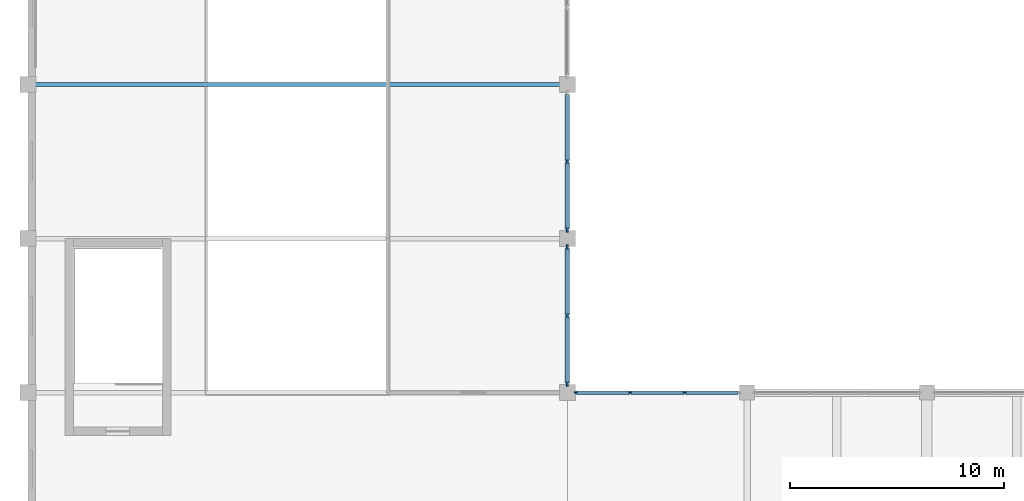
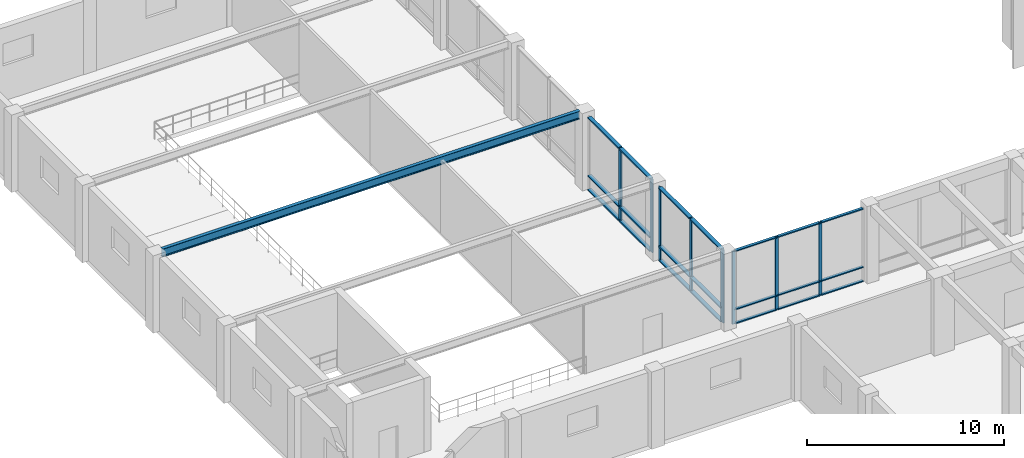
# One storey, part 7 of 51: 29 members, 1 beam, 3 elements without a shape of their own.
"""IFC4 building model written with IfcOpenShell, lengths in metres."""

from ifc_helpers import new_model, si_unit, direction, frame, origin, origin_2d, place, context, subcontext, project, spatial, rectangle, i_section, extrude, material, material_profile, profile_set, type_object, element, aggregate, save


model = new_model("IFC4")

# Units and contexts
model_context = context("Model", 3, precision=1e-05, world=origin(), true_north=direction((0.0, 1.0)))
body_context = subcontext(model_context, "Body", "Model", "MODEL_VIEW")
ifc_project = project(units=[si_unit("LENGTHUNIT", "METRE"), si_unit("AREAUNIT", "SQUARE_METRE"), si_unit("VOLUMEUNIT", "CUBIC_METRE"), si_unit("PLANEANGLEUNIT", "RADIAN"), si_unit("MASSUNIT", "GRAM", prefix="KILO")], contexts=[model_context])

# Site, building, storey
site_placement = place(None, origin())
site = spatial("IfcSite", under=ifc_project, at=site_placement, CompositionType="ELEMENT")
building_placement = place(site_placement, origin())
building = spatial("IfcBuilding", under=site, at=building_placement, Name="Kenerak Square Central Library", CompositionType="ELEMENT")
storey_placement = place(building_placement, frame((0.0, 0.0, 9.60009765625)))
storey = spatial("IfcBuildingStorey", under=building, at=storey_placement, Name="L02", CompositionType="ELEMENT", Elevation=9.60009765625)

# Beam
ifc_material_1 = material(Name="Steel S355", Category="steel")
ifc_material_profile_1 = material_profile(ifc_material_1, i_section(OverallWidth=0.199951171875, OverallDepth=0.5, WebThickness=0.01025390625, FlangeThickness=0.01611328125, FilletRadius=0.02099609375, at=origin_2d()), Name="IPE 500")
ifc_profile_set_1 = profile_set([ifc_material_profile_1], Name="Steel S355")
beam_type = type_object("IfcBeamType", Name="Auditorium Fold Beam SB-07 IPE 500 S355", PredefinedType="BEAM", material=ifc_profile_set_1)
beam_placement = place(storey_placement, frame((8.340087890625, 52.800048828125, 4.5498046875), z_axis=(1.0, 0.0, 0.0), x_axis=(0.0, 1.0, 0.0)))
element("IfcBeam", 1, at=beam_placement, inside=storey, type_object=beam_type, Name="Auditorium Valley Fold Beam SB-07 03", PredefinedType="BEAM", context=body_context, shape_type="SweptSolid", body=[
    extrude(i_section(OverallWidth=0.199951171875, OverallDepth=0.5, WebThickness=0.01025390625, FlangeThickness=0.01611328125, FilletRadius=0.02099609375, at=origin_2d()), origin(), (0.0, 0.0, 1.0), 24.52001953125),
])

# Curtain wall, members
ifc_material_2 = material(Name="Anodised aluminium and solar-control low-E glazing", Category="aluminium")
curtain_wall_type_1 = type_object("IfcCurtainWallType", Name="Curtain Wall CW-V6-76x45 7675x4550", PredefinedType="USERDEFINED", material=ifc_material_2)
curtain_wall_1_placement = place(storey_placement, origin())
curtain_wall_1 = element("IfcCurtainWall", 2, at=curtain_wall_1_placement, inside=storey, type_object=curtain_wall_type_1, Name="Curtain Wall CW-V6-76x45 L02 0072", ObjectType="CURTAIN WALL", PredefinedType="USERDEFINED")
ifc_material_3 = material(Name="Anodised aluminium 6063-T6", Category="aluminium")
ifc_material_profile_2 = material_profile(ifc_material_3, rectangle(XDim=0.06494140625, YDim=0.179931640625, at=origin_2d()), Name="AL MULLION 65x180")
ifc_profile_set_2 = profile_set([ifc_material_profile_2], Name="Anodised aluminium 6063-T6")
member_type_1 = type_object("IfcMemberType", Name="Curtain Mullion CM-01 65x180", PredefinedType="MULLION", material=ifc_profile_set_2)
member_1_placement = place(storey_placement, frame((33.607421875, 38.39990234375, 0.0), z_axis=(0.0, 0.0, 1.0), x_axis=(0.0, 1.0, 0.0)))
member_1 = element("IfcMember", 3, at=member_1_placement, type_object=member_type_1, Name="CW-V6-76x45 Mullion 1", PredefinedType="MULLION", context=body_context, shape_type="SweptSolid", body=[
    extrude(rectangle(XDim=0.06494140625, YDim=0.179931640625, at=origin_2d()), origin(), (0.0, 0.0, 1.0), 4.5498046875),
])
member_2_placement = place(storey_placement, frame((36.13330078125, 38.39990234375, 0.0), z_axis=(0.0, 0.0, 1.0), x_axis=(0.0, 1.0, 0.0)))
member_2 = element("IfcMember", 4, at=member_2_placement, type_object=member_type_1, Name="CW-V6-76x45 Mullion 2", PredefinedType="MULLION", context=body_context, shape_type="SweptSolid", body=[
    extrude(rectangle(XDim=0.06494140625, YDim=0.179931640625, at=origin_2d()), origin(), (0.0, 0.0, 1.0), 4.5498046875),
])
member_3_placement = place(storey_placement, frame((38.691650390625, 38.39990234375, 0.0), z_axis=(0.0, 0.0, 1.0), x_axis=(0.0, 1.0, 0.0)))
member_3 = element("IfcMember", 5, at=member_3_placement, type_object=member_type_1, Name="CW-V6-76x45 Mullion 3", PredefinedType="MULLION", context=body_context, shape_type="SweptSolid", body=[
    extrude(rectangle(XDim=0.06494140625, YDim=0.179931640625, at=origin_2d()), origin(), (0.0, 0.0, 1.0), 4.5498046875),
])

curtain_wall_type_2 = type_object("IfcCurtainWallType", Name="Curtain Wall CW-V3-64x45 6450x4550", PredefinedType="USERDEFINED", material=ifc_material_2)
curtain_wall_2_placement = place(storey_placement, origin())
curtain_wall_2 = element("IfcCurtainWall", 6, at=curtain_wall_2_placement, inside=storey, type_object=curtain_wall_type_2, Name="Curtain Wall CW-V3-64x45 L02 0070", ObjectType="CURTAIN WALL", PredefinedType="USERDEFINED")
ifc_material_profile_3 = material_profile(ifc_material_3, rectangle(XDim=0.080078125, YDim=0.239990234375, at=origin_2d()), Name="AL MULLION 80x240")
ifc_profile_set_3 = profile_set([ifc_material_profile_3], Name="Anodised aluminium 6063-T6")
member_type_2 = type_object("IfcMemberType", Name="Curtain Mullion CM-04 80x240", PredefinedType="MULLION", material=ifc_profile_set_3)
member_4_placement = place(storey_placement, frame((33.199951171875, 49.199951171875, 0.0), z_axis=(0.0, 0.0, 1.0), x_axis=(1.0, 0.0, 0.0)))
member_4 = element("IfcMember", 7, at=member_4_placement, type_object=member_type_2, Name="CW-V3-64x45 Mullion 2", PredefinedType="MULLION", context=body_context, shape_type="SweptSolid", body=[
    extrude(rectangle(XDim=0.080078125, YDim=0.239990234375, at=origin_2d()), origin(), (0.0, 0.0, 1.0), 4.5498046875),
])
member_5_placement = place(storey_placement, frame((33.199951171875, 46.014892578125, 0.0), z_axis=(0.0, 0.0, 1.0), x_axis=(1.0, 0.0, 0.0)))
member_5 = element("IfcMember", 8, at=member_5_placement, type_object=member_type_2, Name="CW-V3-64x45 Mullion 3", PredefinedType="MULLION", context=body_context, shape_type="SweptSolid", body=[
    extrude(rectangle(XDim=0.080078125, YDim=0.239990234375, at=origin_2d()), origin(), (0.0, 0.0, 1.0), 4.5498046875),
])

curtain_wall_3_placement = place(storey_placement, origin())
curtain_wall_3 = element("IfcCurtainWall", 9, at=curtain_wall_3_placement, inside=storey, type_object=curtain_wall_type_2, Name="Curtain Wall CW-V3-64x45 L02 0071", ObjectType="CURTAIN WALL", PredefinedType="USERDEFINED")
member_6_placement = place(storey_placement, frame((33.199951171875, 45.18505859375, 0.0), z_axis=(0.0, 0.0, 1.0), x_axis=(1.0, 0.0, 0.0)))
member_6 = element("IfcMember", 10, at=member_6_placement, type_object=member_type_2, Name="CW-V3-64x45 Mullion 1", PredefinedType="MULLION", context=body_context, shape_type="SweptSolid", body=[
    extrude(rectangle(XDim=0.080078125, YDim=0.239990234375, at=origin_2d()), origin(), (0.0, 0.0, 1.0), 4.5498046875),
])
member_7_placement = place(storey_placement, frame((33.199951171875, 42.0, 0.0), z_axis=(0.0, 0.0, 1.0), x_axis=(1.0, 0.0, 0.0)))
member_7 = element("IfcMember", 11, at=member_7_placement, type_object=member_type_2, Name="CW-V3-64x45 Mullion 2", PredefinedType="MULLION", context=body_context, shape_type="SweptSolid", body=[
    extrude(rectangle(XDim=0.080078125, YDim=0.239990234375, at=origin_2d()), origin(), (0.0, 0.0, 1.0), 4.5498046875),
])
member_8_placement = place(storey_placement, frame((33.199951171875, 38.81494140625, 0.0), z_axis=(0.0, 0.0, 1.0), x_axis=(1.0, 0.0, 0.0)))
member_8 = element("IfcMember", 12, at=member_8_placement, type_object=member_type_2, Name="CW-V3-64x45 Mullion 3", PredefinedType="MULLION", context=body_context, shape_type="SweptSolid", body=[
    extrude(rectangle(XDim=0.080078125, YDim=0.239990234375, at=origin_2d()), origin(), (0.0, 0.0, 1.0), 4.5498046875),
])

# Member
ifc_material_profile_4 = material_profile(ifc_material_3, rectangle(XDim=0.159912109375, YDim=0.06494140625, at=origin_2d()), Name="AL TRANSOM 160x65")
ifc_profile_set_4 = profile_set([ifc_material_profile_4], Name="Anodised aluminium 6063-T6")
member_type_3 = type_object("IfcMemberType", Name="Curtain Transom CT-11 160x65", PredefinedType="USERDEFINED", material=ifc_profile_set_4)
member_9_placement = place(storey_placement, frame((33.639892578125, 38.39990234375, 0.032470703125), z_axis=(1.0, 0.0, 0.0), x_axis=(0.0, 1.0, 0.0)))
member_9 = element("IfcMember", 13, at=member_9_placement, type_object=member_type_3, Name="CW-V6-76x45 Transom 1.1", ObjectType="TRANSOM", PredefinedType="USERDEFINED", context=body_context, shape_type="SweptSolid", body=[
    extrude(rectangle(XDim=0.159912109375, YDim=0.06494140625, at=origin_2d()), origin(), (0.0, 0.0, 1.0), 2.4609375),
])

member_10_placement = place(storey_placement, frame((33.639892578125, 38.39990234375, 0.89990234375), z_axis=(1.0, 0.0, 0.0), x_axis=(0.0, 1.0, 0.0)))
member_10 = element("IfcMember", 14, at=member_10_placement, type_object=member_type_3, Name="CW-V6-76x45 Transom 1.2", ObjectType="TRANSOM", PredefinedType="USERDEFINED", context=body_context, shape_type="SweptSolid", body=[
    extrude(rectangle(XDim=0.159912109375, YDim=0.06494140625, at=origin_2d()), origin(), (0.0, 0.0, 1.0), 2.4609375),
])

member_11_placement = place(storey_placement, frame((33.639892578125, 38.39990234375, 4.517333984375), z_axis=(1.0, 0.0, 0.0), x_axis=(0.0, 1.0, 0.0)))
member_11 = element("IfcMember", 15, at=member_11_placement, type_object=member_type_3, Name="CW-V6-76x45 Transom 1.3", ObjectType="TRANSOM", PredefinedType="USERDEFINED", context=body_context, shape_type="SweptSolid", body=[
    extrude(rectangle(XDim=0.159912109375, YDim=0.06494140625, at=origin_2d()), origin(), (0.0, 0.0, 1.0), 2.4609375),
])

member_12_placement = place(storey_placement, frame((36.165771484375, 38.39990234375, 0.032470703125), z_axis=(1.0, 0.0, 0.0), x_axis=(0.0, 1.0, 0.0)))
member_12 = element("IfcMember", 16, at=member_12_placement, type_object=member_type_3, Name="CW-V6-76x45 Transom 2.1", ObjectType="TRANSOM", PredefinedType="USERDEFINED", context=body_context, shape_type="SweptSolid", body=[
    extrude(rectangle(XDim=0.159912109375, YDim=0.06494140625, at=origin_2d()), origin(), (0.0, 0.0, 1.0), 2.493408203125),
])

member_13_placement = place(storey_placement, frame((36.165771484375, 38.39990234375, 0.89990234375), z_axis=(1.0, 0.0, 0.0), x_axis=(0.0, 1.0, 0.0)))
member_13 = element("IfcMember", 17, at=member_13_placement, type_object=member_type_3, Name="CW-V6-76x45 Transom 2.2", ObjectType="TRANSOM", PredefinedType="USERDEFINED", context=body_context, shape_type="SweptSolid", body=[
    extrude(rectangle(XDim=0.159912109375, YDim=0.06494140625, at=origin_2d()), origin(), (0.0, 0.0, 1.0), 2.493408203125),
])

member_14_placement = place(storey_placement, frame((36.165771484375, 38.39990234375, 4.517333984375), z_axis=(1.0, 0.0, 0.0), x_axis=(0.0, 1.0, 0.0)))
member_14 = element("IfcMember", 18, at=member_14_placement, type_object=member_type_3, Name="CW-V6-76x45 Transom 2.3", ObjectType="TRANSOM", PredefinedType="USERDEFINED", context=body_context, shape_type="SweptSolid", body=[
    extrude(rectangle(XDim=0.159912109375, YDim=0.06494140625, at=origin_2d()), origin(), (0.0, 0.0, 1.0), 2.493408203125),
])

member_15_placement = place(storey_placement, frame((38.72412109375, 38.39990234375, 0.032470703125), z_axis=(1.0, 0.0, 0.0), x_axis=(0.0, 1.0, 0.0)))
member_15 = element("IfcMember", 19, at=member_15_placement, type_object=member_type_3, Name="CW-V6-76x45 Transom 3.1", ObjectType="TRANSOM", PredefinedType="USERDEFINED", context=body_context, shape_type="SweptSolid", body=[
    extrude(rectangle(XDim=0.159912109375, YDim=0.06494140625, at=origin_2d()), origin(), (0.0, 0.0, 1.0), 2.4609375),
])

member_16_placement = place(storey_placement, frame((38.72412109375, 38.39990234375, 0.89990234375), z_axis=(1.0, 0.0, 0.0), x_axis=(0.0, 1.0, 0.0)))
member_16 = element("IfcMember", 20, at=member_16_placement, type_object=member_type_3, Name="CW-V6-76x45 Transom 3.2", ObjectType="TRANSOM", PredefinedType="USERDEFINED", context=body_context, shape_type="SweptSolid", body=[
    extrude(rectangle(XDim=0.159912109375, YDim=0.06494140625, at=origin_2d()), origin(), (0.0, 0.0, 1.0), 2.4609375),
])

member_17_placement = place(storey_placement, frame((38.72412109375, 38.39990234375, 4.517333984375), z_axis=(1.0, 0.0, 0.0), x_axis=(0.0, 1.0, 0.0)))
member_17 = element("IfcMember", 21, at=member_17_placement, type_object=member_type_3, Name="CW-V6-76x45 Transom 3.3", ObjectType="TRANSOM", PredefinedType="USERDEFINED", context=body_context, shape_type="SweptSolid", body=[
    extrude(rectangle(XDim=0.159912109375, YDim=0.06494140625, at=origin_2d()), origin(), (0.0, 0.0, 1.0), 2.4609375),
])

aggregate(curtain_wall_1, [member_1, member_2, member_3, member_9, member_10, member_11, member_12, member_13, member_14, member_15, member_16, member_17])

ifc_material_profile_5 = material_profile(ifc_material_3, rectangle(XDim=0.219970703125, YDim=0.080078125, at=origin_2d()), Name="AL TRANSOM 220x80")
ifc_profile_set_5 = profile_set([ifc_material_profile_5], Name="Anodised aluminium 6063-T6")
member_type_4 = type_object("IfcMemberType", Name="Curtain Transom CT-14 220x80", PredefinedType="USERDEFINED", material=ifc_profile_set_5)
member_18_placement = place(storey_placement, frame((33.199951171875, 52.344970703125, 0.039794921875), z_axis=(0.0, -1.0, 0.0), x_axis=(1.0, 0.0, 0.0)))
member_18 = element("IfcMember", 22, at=member_18_placement, type_object=member_type_4, Name="CW-V3-64x45 Transom 1.1", ObjectType="TRANSOM", PredefinedType="USERDEFINED", context=body_context, shape_type="SweptSolid", body=[
    extrude(rectangle(XDim=0.219970703125, YDim=0.080078125, at=origin_2d()), origin(), (0.0, 0.0, 1.0), 3.10498046875),
])

member_19_placement = place(storey_placement, frame((33.199951171875, 52.344970703125, 0.89990234375), z_axis=(0.0, -1.0, 0.0), x_axis=(1.0, 0.0, 0.0)))
member_19 = element("IfcMember", 23, at=member_19_placement, type_object=member_type_4, Name="CW-V3-64x45 Transom 1.2", ObjectType="TRANSOM", PredefinedType="USERDEFINED", context=body_context, shape_type="SweptSolid", body=[
    extrude(rectangle(XDim=0.219970703125, YDim=0.080078125, at=origin_2d()), origin(), (0.0, 0.0, 1.0), 3.10498046875),
])

member_20_placement = place(storey_placement, frame((33.199951171875, 52.344970703125, 4.510009765625), z_axis=(0.0, -1.0, 0.0), x_axis=(1.0, 0.0, 0.0)))
member_20 = element("IfcMember", 24, at=member_20_placement, type_object=member_type_4, Name="CW-V3-64x45 Transom 1.3", ObjectType="TRANSOM", PredefinedType="USERDEFINED", context=body_context, shape_type="SweptSolid", body=[
    extrude(rectangle(XDim=0.219970703125, YDim=0.080078125, at=origin_2d()), origin(), (0.0, 0.0, 1.0), 3.10498046875),
])

member_21_placement = place(storey_placement, frame((33.199951171875, 49.159912109375, 0.039794921875), z_axis=(0.0, -1.0, 0.0), x_axis=(1.0, 0.0, 0.0)))
member_21 = element("IfcMember", 25, at=member_21_placement, type_object=member_type_4, Name="CW-V3-64x45 Transom 2.1", ObjectType="TRANSOM", PredefinedType="USERDEFINED", context=body_context, shape_type="SweptSolid", body=[
    extrude(rectangle(XDim=0.219970703125, YDim=0.080078125, at=origin_2d()), origin(), (0.0, 0.0, 1.0), 3.10498046875),
])

member_22_placement = place(storey_placement, frame((33.199951171875, 49.159912109375, 0.89990234375), z_axis=(0.0, -1.0, 0.0), x_axis=(1.0, 0.0, 0.0)))
member_22 = element("IfcMember", 26, at=member_22_placement, type_object=member_type_4, Name="CW-V3-64x45 Transom 2.2", ObjectType="TRANSOM", PredefinedType="USERDEFINED", context=body_context, shape_type="SweptSolid", body=[
    extrude(rectangle(XDim=0.219970703125, YDim=0.080078125, at=origin_2d()), origin(), (0.0, 0.0, 1.0), 3.10498046875),
])

member_23_placement = place(storey_placement, frame((33.199951171875, 49.159912109375, 4.510009765625), z_axis=(0.0, -1.0, 0.0), x_axis=(1.0, 0.0, 0.0)))
member_23 = element("IfcMember", 27, at=member_23_placement, type_object=member_type_4, Name="CW-V3-64x45 Transom 2.3", ObjectType="TRANSOM", PredefinedType="USERDEFINED", context=body_context, shape_type="SweptSolid", body=[
    extrude(rectangle(XDim=0.219970703125, YDim=0.080078125, at=origin_2d()), origin(), (0.0, 0.0, 1.0), 3.10498046875),
])

aggregate(curtain_wall_2, [member_4, member_5, member_18, member_19, member_20, member_21, member_22, member_23])

member_24_placement = place(storey_placement, frame((33.199951171875, 45.14501953125, 0.039794921875), z_axis=(0.0, -1.0, 0.0), x_axis=(1.0, 0.0, 0.0)))
member_24 = element("IfcMember", 28, at=member_24_placement, type_object=member_type_4, Name="CW-V3-64x45 Transom 1.1", ObjectType="TRANSOM", PredefinedType="USERDEFINED", context=body_context, shape_type="SweptSolid", body=[
    extrude(rectangle(XDim=0.219970703125, YDim=0.080078125, at=origin_2d()), origin(), (0.0, 0.0, 1.0), 3.10498046875),
])

member_25_placement = place(storey_placement, frame((33.199951171875, 45.14501953125, 0.89990234375), z_axis=(0.0, -1.0, 0.0), x_axis=(1.0, 0.0, 0.0)))
member_25 = element("IfcMember", 29, at=member_25_placement, type_object=member_type_4, Name="CW-V3-64x45 Transom 1.2", ObjectType="TRANSOM", PredefinedType="USERDEFINED", context=body_context, shape_type="SweptSolid", body=[
    extrude(rectangle(XDim=0.219970703125, YDim=0.080078125, at=origin_2d()), origin(), (0.0, 0.0, 1.0), 3.10498046875),
])

member_26_placement = place(storey_placement, frame((33.199951171875, 45.14501953125, 4.510009765625), z_axis=(0.0, -1.0, 0.0), x_axis=(1.0, 0.0, 0.0)))
member_26 = element("IfcMember", 30, at=member_26_placement, type_object=member_type_4, Name="CW-V3-64x45 Transom 1.3", ObjectType="TRANSOM", PredefinedType="USERDEFINED", context=body_context, shape_type="SweptSolid", body=[
    extrude(rectangle(XDim=0.219970703125, YDim=0.080078125, at=origin_2d()), origin(), (0.0, 0.0, 1.0), 3.10498046875),
])

member_27_placement = place(storey_placement, frame((33.199951171875, 41.9599609375, 0.039794921875), z_axis=(0.0, -1.0, 0.0), x_axis=(1.0, 0.0, 0.0)))
member_27 = element("IfcMember", 31, at=member_27_placement, type_object=member_type_4, Name="CW-V3-64x45 Transom 2.1", ObjectType="TRANSOM", PredefinedType="USERDEFINED", context=body_context, shape_type="SweptSolid", body=[
    extrude(rectangle(XDim=0.219970703125, YDim=0.080078125, at=origin_2d()), origin(), (0.0, 0.0, 1.0), 3.10498046875),
])

member_28_placement = place(storey_placement, frame((33.199951171875, 41.9599609375, 0.89990234375), z_axis=(0.0, -1.0, 0.0), x_axis=(1.0, 0.0, 0.0)))
member_28 = element("IfcMember", 32, at=member_28_placement, type_object=member_type_4, Name="CW-V3-64x45 Transom 2.2", ObjectType="TRANSOM", PredefinedType="USERDEFINED", context=body_context, shape_type="SweptSolid", body=[
    extrude(rectangle(XDim=0.219970703125, YDim=0.080078125, at=origin_2d()), origin(), (0.0, 0.0, 1.0), 3.10498046875),
])

member_29_placement = place(storey_placement, frame((33.199951171875, 41.9599609375, 4.510009765625), z_axis=(0.0, -1.0, 0.0), x_axis=(1.0, 0.0, 0.0)))
member_29 = element("IfcMember", 33, at=member_29_placement, type_object=member_type_4, Name="CW-V3-64x45 Transom 2.3", ObjectType="TRANSOM", PredefinedType="USERDEFINED", context=body_context, shape_type="SweptSolid", body=[
    extrude(rectangle(XDim=0.219970703125, YDim=0.080078125, at=origin_2d()), origin(), (0.0, 0.0, 1.0), 3.10498046875),
])

aggregate(curtain_wall_3, [member_6, member_7, member_8, member_24, member_25, member_26, member_27, member_28, member_29])

save(model, "model.ifc")
